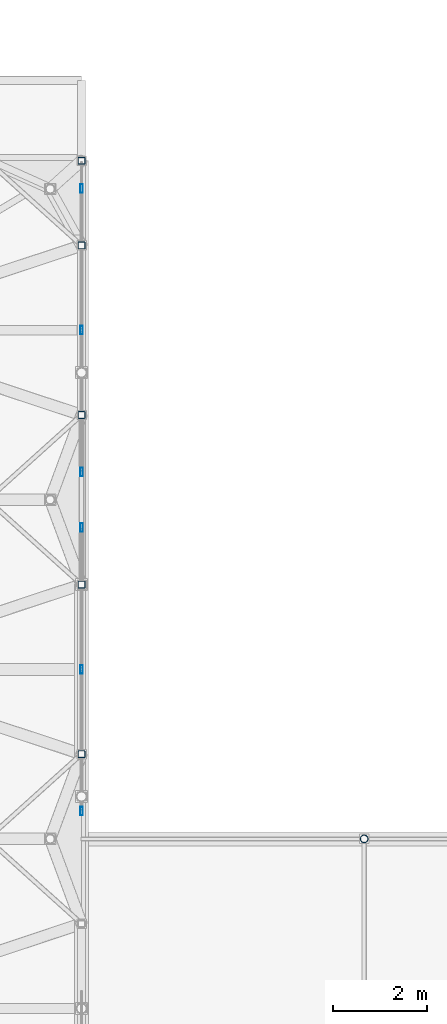
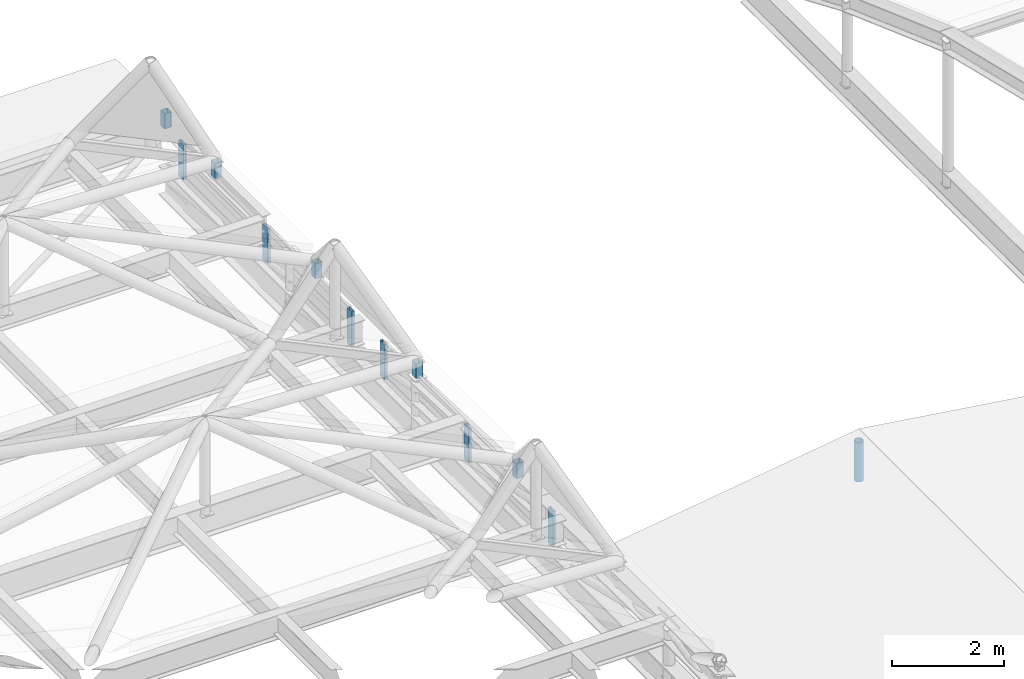
# One storey, part 208 of 239: 12 members, 2 elements without a shape of their own.
"""IFC4 building model written with IfcOpenShell, lengths in metres."""

import ifcopenshell
import ifcopenshell.guid

model = None  # the IFC model being written
_history = None  # IfcOwnerHistory: only IFC2X3 demands one
_inside = {}  # id of a spatial element -> (the spatial element, [elements in it])
_under = {}  # id of a project, library or spatial element -> (it, [spatial elements below it])
_declared = {}  # id of a project -> (the project, [libraries it declares])
_typed = {}  # id of a type object -> (the type object, [elements of that type])
_made_of = {}  # id of a material, layer set ... -> (it, [elements and type objects made of it])


def new_model(schema):
    """Start an empty IFC model of exactly this schema.

    Asked for "IFC4X3", IfcOpenShell would pick the latest addendum, in which some entities
    have other attributes; the version numbers below select the first issue.
    IFC2X3 requires an IfcOwnerHistory on every rooted entity: one is made here for all.
    """
    global model, _history
    if schema == "IFC4X3":
        model = ifcopenshell.file(schema_version=(4, 3, 0, 0))
    else:
        model = ifcopenshell.file(schema=schema)
    _inside.clear()
    _under.clear()
    _declared.clear()
    _typed.clear()
    _made_of.clear()
    _history = None
    if model.schema == "IFC2X3":
        org = make("IfcOrganization", Name="unknown")
        user = make(
            "IfcPersonAndOrganization",
            ThePerson=make("IfcPerson", FamilyName="unknown"),
            TheOrganization=org,
        )
        app = make(
            "IfcApplication",
            ApplicationDeveloper=org,
            Version="unknown",
            ApplicationFullName="unknown",
            ApplicationIdentifier="unknown",
        )
        _history = make(
            "IfcOwnerHistory",
            OwningUser=user,
            OwningApplication=app,
            ChangeAction="ADDED",
            CreationDate=0,
        )
    return model


def make(cls, **values):
    """One entity of the class cls with the attributes given. An attribute that is None is left unset."""
    return model.create_entity(
        cls, **{name: value for name, value in values.items() if value is not None}
    )


def rooted(cls, **values):
    """An entity with a GlobalId (a new one), such as an element, a storey or a relation."""
    return make(cls, GlobalId=ifcopenshell.guid.new(), OwnerHistory=_history, **values)


def si_unit(unit_type, name, prefix=None):
    """IfcSIUnit, for example si_unit("LENGTHUNIT", "METRE", prefix="MILLI")."""
    return make("IfcSIUnit", UnitType=unit_type, Prefix=prefix, Name=name)


def assignment(units):
    """IfcUnitAssignment: the units of a project."""
    return None if units is None else make("IfcUnitAssignment", Units=units)


def point(xyz):
    """IfcCartesianPoint."""
    return None if xyz is None else make("IfcCartesianPoint", Coordinates=xyz)


def direction(xyz):
    """IfcDirection."""
    return None if xyz is None else make("IfcDirection", DirectionRatios=xyz)


def frame(location, z_axis=None, x_axis=None):
    """IfcAxis2Placement3D, a coordinate frame: its origin and axes. An axis left out is left unset."""
    return make(
        "IfcAxis2Placement3D",
        Location=point(location),
        Axis=direction(z_axis),
        RefDirection=direction(x_axis),
    )


def frame_2d(location, x_axis=None):
    """IfcAxis2Placement2D, a coordinate frame in the plane: its origin and x axis."""
    return make(
        "IfcAxis2Placement2D", Location=point(location), RefDirection=direction(x_axis)
    )


def origin():
    """The frame at (0, 0, 0) with its axes left unset."""
    return frame((0.0, 0.0, 0.0))


def origin_2d():
    """The frame at (0, 0) in the plane with its x axis left unset."""
    return frame_2d((0.0, 0.0))


def place(relative_to, where):
    """IfcLocalPlacement: puts the frame where relative to a parent placement (None: the world)."""
    return make(
        "IfcLocalPlacement", PlacementRelTo=relative_to, RelativePlacement=where
    )


def context(
    kind, dimensions, precision=None, world=None, true_north=None, identifier=None
):
    """IfcGeometricRepresentationContext, for example the 3D "Model" context."""
    return make(
        "IfcGeometricRepresentationContext",
        ContextIdentifier=identifier,
        ContextType=kind,
        CoordinateSpaceDimension=dimensions,
        Precision=precision,
        WorldCoordinateSystem=world,
        TrueNorth=true_north,
    )


def subcontext(parent, identifier, kind, view, scale=None):
    """IfcGeometricRepresentationSubContext, for example "Body" below "Model"."""
    return make(
        "IfcGeometricRepresentationSubContext",
        ContextIdentifier=identifier,
        ContextType=kind,
        ParentContext=parent,
        TargetScale=scale,
        TargetView=view,
    )


def project(units=None, contexts=None):
    """IfcProject with its units and contexts."""
    return rooted(
        "IfcProject",
        Name="project",
        RepresentationContexts=contexts,
        UnitsInContext=assignment(units),
    )


def spatial(cls, under=None, at=None, **own):
    """A site, building, storey or space (cls), placed at a placement, below another one or the project."""
    s = rooted(cls, ObjectPlacement=at, **own)
    if under is not None:
        _under.setdefault(under.id(), (under, []))[1].append(s)
    return s


def profile(cls, at=None, kind="AREA", **sizes):
    """A parametric profile (cls). Its sizes go by their IFC names, for example OverallWidth=200.0."""
    return make(cls, ProfileType=kind, Position=at, **sizes)


def hollow_rectangle(**sizes):
    """IfcRectangleHollowProfileDef."""
    return profile("IfcRectangleHollowProfileDef", **sizes)


def hollow_circle(**sizes):
    """IfcCircleHollowProfileDef."""
    return profile("IfcCircleHollowProfileDef", **sizes)


def extrude(swept, where, along, depth):
    """IfcExtrudedAreaSolid: the profile swept, set in the frame where, extruded along a direction by depth."""
    return make(
        "IfcExtrudedAreaSolid",
        SweptArea=swept,
        Position=where,
        ExtrudedDirection=direction(along),
        Depth=depth,
    )


def shape(context_of_items, identifier, shape_type, items):
    """IfcShapeRepresentation: the items that make up one representation, for example the "Body"."""
    return make(
        "IfcShapeRepresentation",
        ContextOfItems=context_of_items,
        RepresentationIdentifier=identifier,
        RepresentationType=shape_type,
        Items=items,
    )


def material(Name=None, Category=None):
    """IfcMaterial."""
    return make("IfcMaterial", Name=Name, Category=Category)


def layer(
    of_material, thickness, ventilated=None, Name=None, Category=None, Priority=None
):
    """IfcMaterialLayer: one layer of a wall or slab, of a material (None: an air gap)."""
    return make(
        "IfcMaterialLayer",
        Material=of_material,
        LayerThickness=thickness,
        IsVentilated=ventilated,
        Name=Name,
        Category=Category,
        Priority=Priority,
    )


def layer_set(layers, Name=None):
    """IfcMaterialLayerSet."""
    return make("IfcMaterialLayerSet", MaterialLayers=layers, LayerSetName=Name)


def material_profile(
    of_material, cross_section, Name=None, Category=None, Priority=None
):
    """IfcMaterialProfile: a cross section and its material."""
    return make(
        "IfcMaterialProfile",
        Name=Name,
        Material=of_material,
        Profile=cross_section,
        Priority=Priority,
        Category=Category,
    )


def profile_set(profiles, Name=None, composite=None):
    """IfcMaterialProfileSet."""
    return make(
        "IfcMaterialProfileSet",
        Name=Name,
        MaterialProfiles=profiles,
        CompositeProfile=composite,
    )


def made_of(thing, what):
    """Note that an element or type object is made of a material, layer set ...; save() writes the relation."""
    if what is not None:
        _made_of.setdefault(what.id(), (what, []))[1].append(thing)
    return thing


def type_object(cls, material=None, **own):
    """A type object (cls), such as IfcWallType, which elements share."""
    return made_of(rooted(cls, **own), material)


def element(
    cls,
    number,
    at=None,
    inside=None,
    cuts=None,
    type_object=None,
    material=None,
    context=None,
    identifier="Body",
    shape_type=None,
    held_by="IfcProductDefinitionShape",
    body=None,
    shapes=None,
    **own,
):
    """One element of the class cls, such as IfcWall. Its Tag is "e" and its number.

    at: its placement. inside: the storey or other place that contains it. cuts: it is an
    opening in that element (IfcRelVoidsElement). A single representation is given by context,
    identifier, shape_type and body (its items); several are given by shapes. held_by: the class
    of the entity that holds the representations. save() writes the other relations.
    """
    e = rooted(cls, Tag="e%d" % number, ObjectPlacement=at, **own)
    if body is not None:
        shapes = [shape(context, identifier, shape_type, body)]
    if shapes is not None:
        e.Representation = make(held_by, Representations=shapes)
    if inside is not None:
        _inside.setdefault(inside.id(), (inside, []))[1].append(e)
    if cuts is not None:
        rooted(
            "IfcRelVoidsElement", RelatingBuildingElement=cuts, RelatedOpeningElement=e
        )
    if type_object is not None:
        _typed.setdefault(type_object.id(), (type_object, []))[1].append(e)
    return made_of(e, material)


def aggregate(whole, parts):
    """IfcRelAggregates: a whole, such as a stair, and the parts it consists of."""
    return rooted("IfcRelAggregates", RelatingObject=whole, RelatedObjects=parts)


def save(model, path):
    """Write the relations noted so far, then the file.

    IfcRelAggregates (storeys below a building ...), IfcRelContainedInSpatialStructure (elements
    in a storey), IfcRelDefinesByType, IfcRelAssociatesMaterial and IfcRelDeclares: one each for
    every whole, place, type object, material and project.
    """
    for whole, parts in _under.values():
        aggregate(whole, parts)
    for where, things in _inside.values():
        rooted(
            "IfcRelContainedInSpatialStructure",
            RelatedElements=things,
            RelatingStructure=where,
        )
    for kind, things in _typed.values():
        rooted("IfcRelDefinesByType", RelatedObjects=things, RelatingType=kind)
    for what, things in _made_of.values():
        rooted("IfcRelAssociatesMaterial", RelatedObjects=things, RelatingMaterial=what)
    for by, libraries in _declared.values():
        rooted("IfcRelDeclares", RelatingContext=by, RelatedDefinitions=libraries)
    model.write(path)


model = new_model("IFC4")

# Units and contexts
model_context = context("Model", 3, precision=1e-05, world=origin(), true_north=direction((0.0, 1.0)))
body_context = subcontext(model_context, "Body", "Model", "MODEL_VIEW")
ifc_project = project(units=[si_unit("LENGTHUNIT", "METRE"), si_unit("AREAUNIT", "SQUARE_METRE"), si_unit("VOLUMEUNIT", "CUBIC_METRE"), si_unit("PLANEANGLEUNIT", "RADIAN"), si_unit("MASSUNIT", "GRAM", prefix="KILO")], contexts=[model_context])

# Site, building, storey
site_placement = place(None, origin())
site = spatial("IfcSite", under=ifc_project, at=site_placement, CompositionType="ELEMENT")
building_placement = place(site_placement, origin())
building = spatial("IfcBuilding", under=site, at=building_placement, Name="Dunvalen Ferry Terminal", CompositionType="ELEMENT")
storey_placement = place(building_placement, frame((0.0, 0.0, 9.840087890625)))
storey = spatial("IfcBuildingStorey", under=building, at=storey_placement, Name="L02", CompositionType="ELEMENT", Elevation=9.840087890625)

# Curtain wall, members
ifc_material_1 = material(Name="Anodised marine aluminium and solar-control glazing", Category="aluminium")
ifc_layer = layer(ifc_material_1, 0.219970703125, Name="Anodised marine aluminium and solar-control glazing")
ifc_layer_set = layer_set([ifc_layer], Name="Anodised marine aluminium and solar-control glazing")
curtain_wall_type = type_object("IfcCurtainWallType", Name="ENV-CW-SYS-04", PredefinedType="NOTDEFINED", material=ifc_layer_set)
curtain_wall_1_placement = place(storey_placement, origin())
curtain_wall_1 = element("IfcCurtainWall", 1, at=curtain_wall_1_placement, inside=storey, type_object=curtain_wall_type, Name="L02 Curtain Wall CW-V1E-CLR-04", PredefinedType="NOTDEFINED")
ifc_material_2 = material(Name="Anodised marine aluminium EN AW-6063 T6", Category="aluminium")
ifc_material_profile_1 = material_profile(ifc_material_2, hollow_rectangle(XDim=0.06005859375, YDim=0.179931640625, WallThickness=0.00341796875, InnerFilletRadius=0.00341796875, OuterFilletRadius=0.007080078125, at=origin_2d()), Name="Anodised marine aluminium EN AW-6063 T6")
ifc_profile_set_1 = profile_set([ifc_material_profile_1], Name="Anodised marine aluminium EN AW-6063 T6")
member_type_1 = type_object("IfcMemberType", Name="ENV-CW-MUL-2", PredefinedType="MULLION", material=ifc_profile_set_1)
member_1_placement = place(storey_placement, frame((96.0, 72.590087890625, 0.010009765625), z_axis=(0.0, 0.0, 1.0), x_axis=(-1.0, 0.0, 0.0)))
member_1 = element("IfcMember", 2, at=member_1_placement, type_object=member_type_1, Name="CW-04 mullion 1", PredefinedType="MULLION", context=body_context, shape_type="SweptSolid", body=[
    extrude(hollow_rectangle(XDim=0.06005859375, YDim=0.179931640625, WallThickness=0.00341796875, InnerFilletRadius=0.00341796875, OuterFilletRadius=0.007080078125, at=origin_2d()), origin(), (0.0, 0.0, 1.0), 0.77001953125),
])
member_2_placement = place(storey_placement, frame((96.0, 75.60009765625, 0.010009765625), z_axis=(0.0, 0.0, 1.0), x_axis=(-1.0, 0.0, 0.0)))
member_2 = element("IfcMember", 3, at=member_2_placement, type_object=member_type_1, Name="CW-04 mullion 2", PredefinedType="MULLION", context=body_context, shape_type="SweptSolid", body=[
    extrude(hollow_rectangle(XDim=0.06005859375, YDim=0.179931640625, WallThickness=0.00341796875, InnerFilletRadius=0.00341796875, OuterFilletRadius=0.007080078125, at=origin_2d()), origin(), (0.0, 0.0, 1.0), 0.77001953125),
])
member_3_placement = place(storey_placement, frame((96.0, 78.610107421875, 0.010009765625), z_axis=(0.0, 0.0, 1.0), x_axis=(-1.0, 0.0, 0.0)))
member_3 = element("IfcMember", 4, at=member_3_placement, type_object=member_type_1, Name="CW-04 mullion 3", PredefinedType="MULLION", context=body_context, shape_type="SweptSolid", body=[
    extrude(hollow_rectangle(XDim=0.06005859375, YDim=0.179931640625, WallThickness=0.00341796875, InnerFilletRadius=0.00341796875, OuterFilletRadius=0.007080078125, at=origin_2d()), origin(), (0.0, 0.0, 1.0), 0.77001953125),
])
aggregate(curtain_wall_1, [member_1, member_2, member_3])

curtain_wall_2_placement = place(storey_placement, origin())
curtain_wall_2 = element("IfcCurtainWall", 5, at=curtain_wall_2_placement, inside=storey, type_object=curtain_wall_type, Name="L02 Curtain Wall CW-V1E-CLR-05", PredefinedType="NOTDEFINED")
member_4_placement = place(storey_placement, frame((96.0, 79.7900390625, 0.010009765625), z_axis=(0.0, 0.0, 1.0), x_axis=(-1.0, 0.0, 0.0)))
member_4 = element("IfcMember", 6, at=member_4_placement, type_object=member_type_1, Name="CW-04 mullion 1", PredefinedType="MULLION", context=body_context, shape_type="SweptSolid", body=[
    extrude(hollow_rectangle(XDim=0.06005859375, YDim=0.179931640625, WallThickness=0.00341796875, InnerFilletRadius=0.00341796875, OuterFilletRadius=0.007080078125, at=origin_2d()), origin(), (0.0, 0.0, 1.0), 0.77001953125),
])
member_5_placement = place(storey_placement, frame((96.0, 82.800048828125, 0.010009765625), z_axis=(0.0, 0.0, 1.0), x_axis=(-1.0, 0.0, 0.0)))
member_5 = element("IfcMember", 7, at=member_5_placement, type_object=member_type_1, Name="CW-04 mullion 2", PredefinedType="MULLION", context=body_context, shape_type="SweptSolid", body=[
    extrude(hollow_rectangle(XDim=0.06005859375, YDim=0.179931640625, WallThickness=0.00341796875, InnerFilletRadius=0.00341796875, OuterFilletRadius=0.007080078125, at=origin_2d()), origin(), (0.0, 0.0, 1.0), 0.77001953125),
])
member_6_placement = place(storey_placement, frame((96.0, 85.81005859375, 0.010009765625), z_axis=(0.0, 0.0, 1.0), x_axis=(-1.0, 0.0, 0.0)))
member_6 = element("IfcMember", 8, at=member_6_placement, type_object=member_type_1, Name="CW-04 mullion 3", PredefinedType="MULLION", context=body_context, shape_type="SweptSolid", body=[
    extrude(hollow_rectangle(XDim=0.06005859375, YDim=0.179931640625, WallThickness=0.00341796875, InnerFilletRadius=0.00341796875, OuterFilletRadius=0.007080078125, at=origin_2d()), origin(), (0.0, 0.0, 1.0), 0.77001953125),
])
aggregate(curtain_wall_2, [member_4, member_5, member_6])

# Members
ifc_material_3 = material(Name="Steel S355", Category="steel")
ifc_material_profile_2 = material_profile(ifc_material_3, hollow_circle(Radius=0.084228515625, WallThickness=0.008056640625, at=origin_2d()), Name="Steel S355")
ifc_profile_set_2 = profile_set([ifc_material_profile_2], Name="Steel S355")
member_type_2 = type_object("IfcMemberType", Name="STR-MB-CHS168", PredefinedType="BRACE", material=ifc_profile_set_2)
member_7_placement = place(storey_placement, frame((102.0, 72.0, -0.320068359375), z_axis=(0.0, 0.0, 1.0), x_axis=(1.0, 0.0, 0.0)))
element("IfcMember", 9, at=member_7_placement, inside=storey, type_object=member_type_2, Name="Central Covered Passage King Strut 03", PredefinedType="BRACE", context=body_context, shape_type="SweptSolid", body=[
    extrude(hollow_circle(Radius=0.084228515625, WallThickness=0.008056640625, at=origin_2d()), origin(), (0.0, 0.0, 1.0), 0.85986328125),
])
ifc_material_profile_3 = material_profile(ifc_material_3, hollow_rectangle(XDim=0.14990234375, YDim=0.14990234375, WallThickness=0.008056640625, InnerFilletRadius=0.008056640625, OuterFilletRadius=0.01611328125, at=origin_2d()), Name="Steel S355")
ifc_profile_set_3 = profile_set([ifc_material_profile_3], Name="Steel S355")
member_type_3 = type_object("IfcMemberType", Name="STR-MB-SHS150", PredefinedType="BRACE", material=ifc_profile_set_3)
for number, where, z_axis, x_axis, name in (
    (10, (96.0, 73.800048828125, 0.77001953125), (0.0, 0.0, 1.0), (1.0, 0.0, 0.0), "HEX-43 Rim Pedestal Strut 4"),
    (11, (96.0, 77.39990234375, 0.77001953125), (0.0, 0.0, 1.0), (1.0, 0.0, 0.0), "HEX-43 Rim Pedestal Strut 5"),
    (12, (96.0, 81.0, 0.77001953125), (0.0, 0.0, 1.0), (1.0, 0.0, 0.0), "HEX-44 Rim Pedestal Strut 4"),
    (13, (96.0, 84.60009765625, 0.77001953125), (0.0, 0.0, 1.0), (1.0, 0.0, 0.0), "HEX-44 Rim Pedestal Strut 5"),
    (14, (96.0, 86.39990234375, 0.77001953125), (0.0, 0.0, 1.0), (1.0, 0.0, 0.0), "HEX-50 Rim Pedestal Strut 1"),
):
    element("IfcMember", number, at=place(storey_placement, frame(where, z_axis=z_axis, x_axis=x_axis)), inside=storey, type_object=member_type_3, Name=name, PredefinedType="BRACE", context=body_context, shape_type="SweptSolid", body=[
        extrude(hollow_rectangle(XDim=0.14990234375, YDim=0.14990234375, WallThickness=0.008056640625, InnerFilletRadius=0.008056640625, OuterFilletRadius=0.01611328125, at=origin_2d()), origin(), (0.0, 0.0, 1.0), 0.329833984375),
    ])

save(model, "model.ifc")
